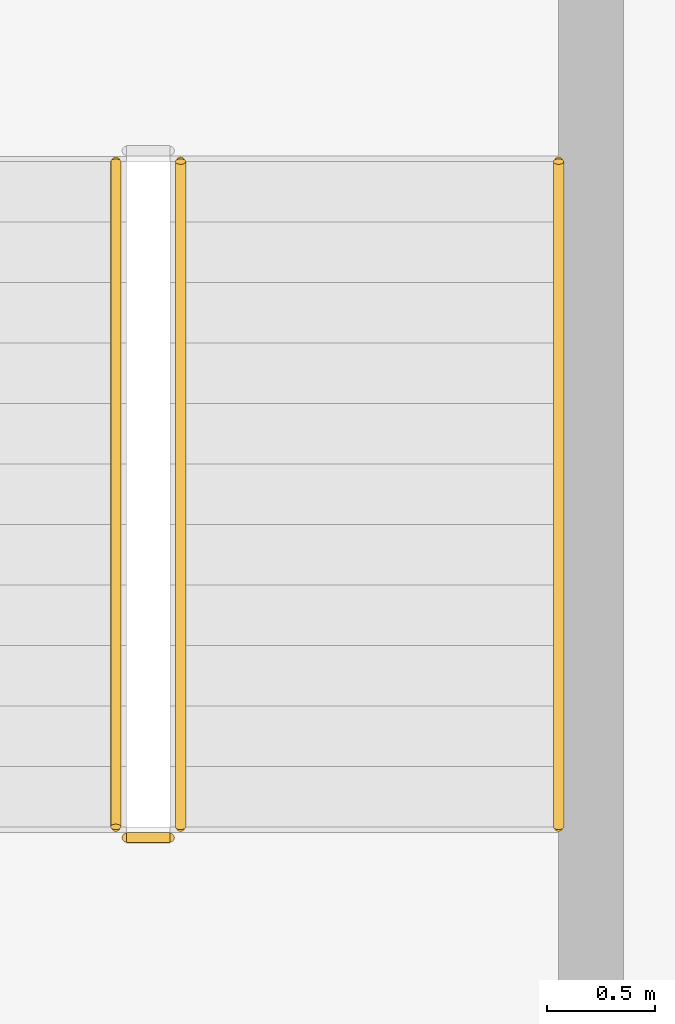
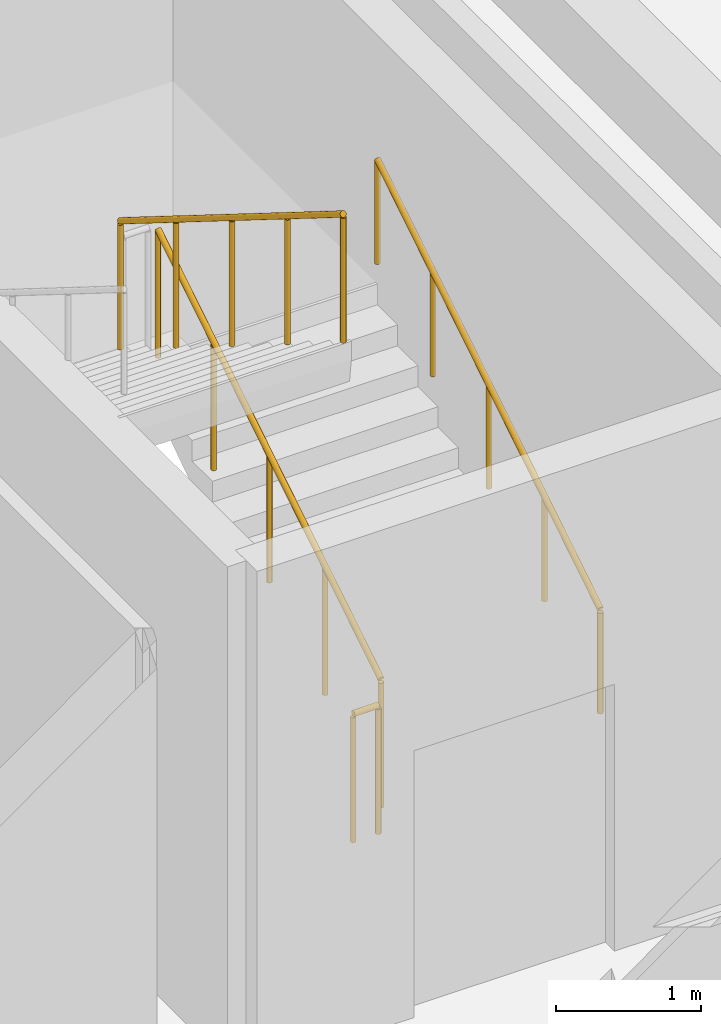
# One storey, part 68 of 77: 4 railings.
"""IFC4 building model written with IfcOpenShell, lengths in metres."""

from ifc_helpers import new_model, si_unit, direction, frame, origin, origin_2d, place, context, subcontext, project, spatial, circle, extrude, material, type_object, element, save


model = new_model("IFC4")

# Units and contexts
model_context = context("Model", 3, precision=1e-05, world=origin(), true_north=direction((0.0, 1.0)))
body_context = subcontext(model_context, "Body", "Model", "MODEL_VIEW")
ifc_project = project(units=[si_unit("LENGTHUNIT", "METRE"), si_unit("AREAUNIT", "SQUARE_METRE"), si_unit("VOLUMEUNIT", "CUBIC_METRE"), si_unit("PLANEANGLEUNIT", "RADIAN"), si_unit("MASSUNIT", "GRAM", prefix="KILO")], contexts=[model_context])

# Site, building, storey
site_placement = place(None, origin())
site = spatial("IfcSite", under=ifc_project, at=site_placement, CompositionType="ELEMENT")
building_placement = place(site_placement, origin())
building = spatial("IfcBuilding", under=site, at=building_placement, Name="Varncliffe General Hospital", CompositionType="ELEMENT")
storey_placement = place(building_placement, frame((0.0, 0.0, 16.199951171875)))
storey = spatial("IfcBuildingStorey", under=building, at=storey_placement, Name="L03", CompositionType="ELEMENT", Elevation=16.199951171875)

# Railings
ifc_material = material(Name="Powder-coated hospital steel guardrail and handrail", Category="steel")
railing_type_1 = type_object("IfcRailingType", Name="Stair and Ramp Handrail HR46", PredefinedType="HANDRAIL", material=ifc_material)
railing_1_placement = place(storey_placement, frame((74.050048828125, 90.60009765625, 0.35400390625)))
element("IfcRailing", 1, at=railing_1_placement, inside=storey, type_object=railing_type_1, Name="L03 ST12 stair handrail 1", PredefinedType="HANDRAIL", context=body_context, shape_type="SweptSolid", body=[
    extrude(circle(Radius=0.02392578125, at=origin_2d()), frame((0.0, 0.0, 0.8759765625), z_axis=(0.0, 0.847979421464, 0.530029150871), x_axis=(-1.0, 0.0, 0.0)), (0.0, 0.0, 1.0), 3.632080078125),
    extrude(circle(Radius=0.02099609375, at=origin_2d()), origin(), (0.0, 0.0, 1.0), 0.851806640625),
    extrude(circle(Radius=0.02099609375, at=origin_2d()), frame((0.0, 0.77001953125, 0.481201171875)), (0.0, 0.0, 1.0), 0.851806640625),
    extrude(circle(Radius=0.02099609375, at=origin_2d()), frame((0.0, 1.5400390625, 0.96240234375)), (0.0, 0.0, 1.0), 0.851806640625),
    extrude(circle(Radius=0.02099609375, at=origin_2d()), frame((0.0, 2.309814453125, 1.44384765625)), (0.0, 0.0, 1.0), 0.851806640625),
    extrude(circle(Radius=0.02099609375, at=origin_2d()), frame((0.0, 3.079833984375, 1.925048828125)), (0.0, 0.0, 1.0), 0.851806640625),
])
railing_type_2 = type_object("IfcRailingType", Name="Stairwell Guardrail SG49", PredefinedType="GUARDRAIL", material=ifc_material)
railing_2_placement = place(storey_placement, frame((72.300048828125, 90.60009765625, 0.175048828125)))
element("IfcRailing", 2, at=railing_2_placement, inside=storey, type_object=railing_type_2, Name="L03 ST12 stair guard 1", PredefinedType="GUARDRAIL", context=body_context, shape_type="SweptSolid", body=[
    extrude(circle(Radius=0.02392578125, at=origin_2d()), frame((0.0, 0.0, 1.076171875), z_axis=(0.0, 0.847979421464, 0.530029150871), x_axis=(-1.0, 0.0, 0.0)), (0.0, 0.0, 1.0), 3.632080078125),
    extrude(circle(Radius=0.02099609375, at=origin_2d()), origin(), (0.0, 0.0, 1.0), 1.052001953125),
    extrude(circle(Radius=0.02099609375, at=origin_2d()), frame((0.0, 0.77001953125, 0.481201171875)), (0.0, 0.0, 1.0), 1.052001953125),
    extrude(circle(Radius=0.02099609375, at=origin_2d()), frame((0.0, 1.5400390625, 0.96240234375)), (0.0, 0.0, 1.0), 1.052001953125),
    extrude(circle(Radius=0.02099609375, at=origin_2d()), frame((0.0, 2.309814453125, 1.44384765625)), (0.0, 0.0, 1.0), 1.052001953125),
    extrude(circle(Radius=0.02099609375, at=origin_2d()), frame((0.0, 3.079833984375, 1.925048828125)), (0.0, 0.0, 1.0), 1.052001953125),
])
railing_3_placement = place(storey_placement, frame((72.0, 93.679931640625, 2.275146484375)))
element("IfcRailing", 3, at=railing_3_placement, inside=storey, type_object=railing_type_2, Name="L03 ST12 stair guard 3", PredefinedType="GUARDRAIL", context=body_context, shape_type="SweptSolid", body=[
    extrude(circle(Radius=0.02392578125, at=origin_2d()), frame((0.0, 0.0, 1.076171875), z_axis=(0.0, -0.848009633417, 0.529980812513), x_axis=(1.0, 0.0, 0.0)), (0.0, 0.0, 1.0), 3.6318359375),
    extrude(circle(Radius=0.02099609375, at=origin_2d()), origin(), (0.0, 0.0, 1.0), 1.052001953125),
    extrude(circle(Radius=0.02099609375, at=origin_2d()), frame((0.0, -0.77001953125, 0.481201171875)), (0.0, 0.0, 1.0), 1.052001953125),
    extrude(circle(Radius=0.02099609375, at=origin_2d()), frame((0.0, -1.5400390625, 0.96240234375)), (0.0, 0.0, 1.0), 1.052001953125),
    extrude(circle(Radius=0.02099609375, at=origin_2d()), frame((0.0, -2.309814453125, 1.443603515625)), (0.0, 0.0, 1.0), 1.052001953125),
    extrude(circle(Radius=0.02099609375, at=origin_2d()), frame((0.0, -3.079833984375, 1.9248046875)), (0.0, 0.0, 1.0), 1.052001953125),
])
railing_4_placement = place(storey_placement, frame((72.25, 90.550048828125, 0.0)))
element("IfcRailing", 4, at=railing_4_placement, inside=storey, type_object=railing_type_2, Name="L03 ST12 stair guard 4", PredefinedType="GUARDRAIL", context=body_context, shape_type="SweptSolid", body=[
    extrude(circle(Radius=0.02392578125, at=origin_2d()), frame((0.0, 0.0, 1.076171875), z_axis=(-1.0, 0.0, 0.0), x_axis=(0.0, -1.0, 0.0)), (0.0, 0.0, 1.0), 0.199951171875),
    extrude(circle(Radius=0.02099609375, at=origin_2d()), origin(), (0.0, 0.0, 1.0), 1.052001953125),
    extrude(circle(Radius=0.02099609375, at=origin_2d()), frame((-0.199951171875, 0.0, 0.0)), (0.0, 0.0, 1.0), 1.052001953125),
])

save(model, "model.ifc")
